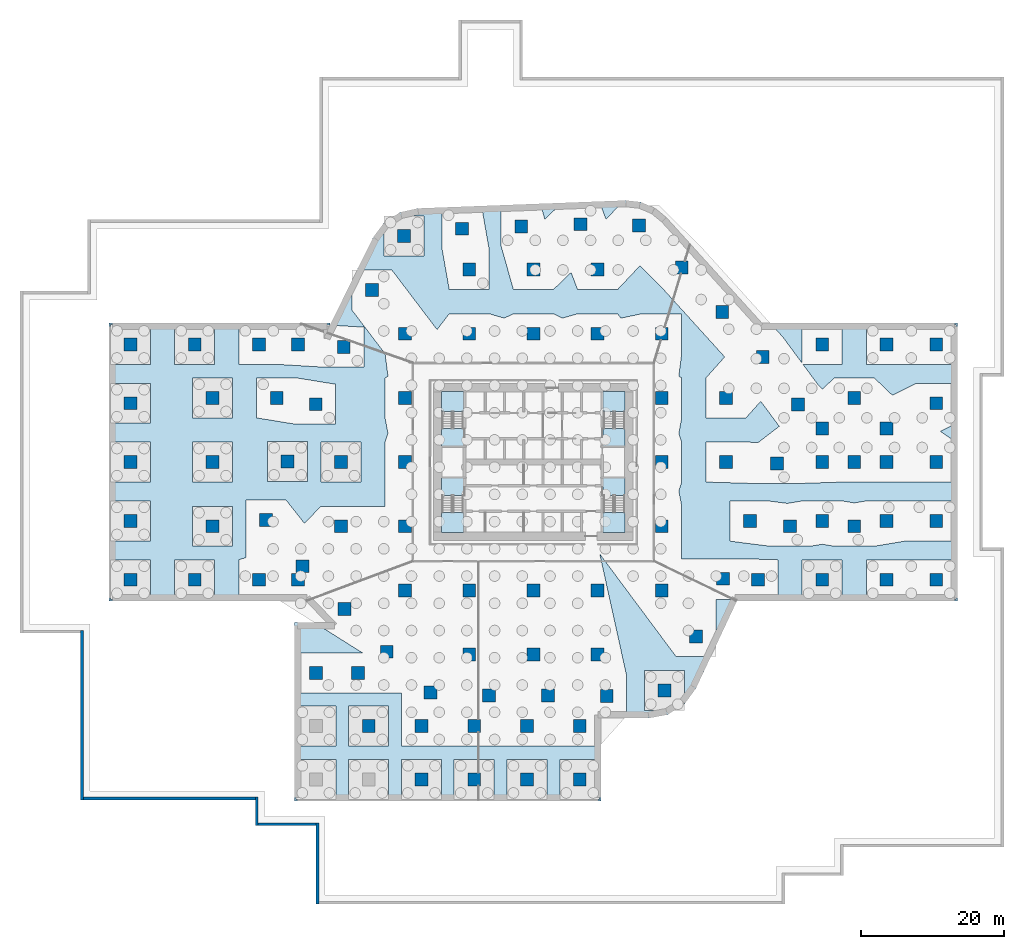
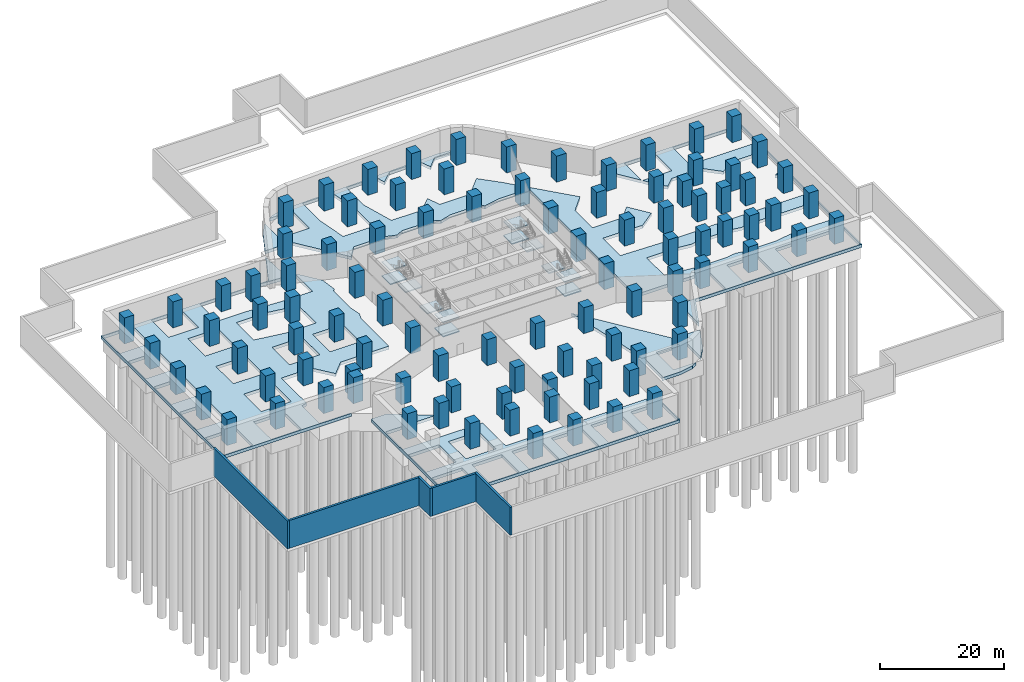
# One storey, part 3 of 12: 98 columns, 16 slabs, 5 walls, 4 elements without a shape of their own.
"""IFC4 building model written with IfcOpenShell, lengths in metres."""

import ifcopenshell
import ifcopenshell.guid

model = None  # the IFC model being written
_history = None  # IfcOwnerHistory: only IFC2X3 demands one
_inside = {}  # id of a spatial element -> (the spatial element, [elements in it])
_under = {}  # id of a project, library or spatial element -> (it, [spatial elements below it])
_declared = {}  # id of a project -> (the project, [libraries it declares])
_typed = {}  # id of a type object -> (the type object, [elements of that type])
_made_of = {}  # id of a material, layer set ... -> (it, [elements and type objects made of it])


def new_model(schema):
    """Start an empty IFC model of exactly this schema.

    Asked for "IFC4X3", IfcOpenShell would pick the latest addendum, in which some entities
    have other attributes; the version numbers below select the first issue.
    IFC2X3 requires an IfcOwnerHistory on every rooted entity: one is made here for all.
    """
    global model, _history
    if schema == "IFC4X3":
        model = ifcopenshell.file(schema_version=(4, 3, 0, 0))
    else:
        model = ifcopenshell.file(schema=schema)
    _inside.clear()
    _under.clear()
    _declared.clear()
    _typed.clear()
    _made_of.clear()
    _history = None
    if model.schema == "IFC2X3":
        org = make("IfcOrganization", Name="unknown")
        user = make(
            "IfcPersonAndOrganization",
            ThePerson=make("IfcPerson", FamilyName="unknown"),
            TheOrganization=org,
        )
        app = make(
            "IfcApplication",
            ApplicationDeveloper=org,
            Version="unknown",
            ApplicationFullName="unknown",
            ApplicationIdentifier="unknown",
        )
        _history = make(
            "IfcOwnerHistory",
            OwningUser=user,
            OwningApplication=app,
            ChangeAction="ADDED",
            CreationDate=0,
        )
    return model


def make(cls, **values):
    """One entity of the class cls with the attributes given. An attribute that is None is left unset."""
    return model.create_entity(
        cls, **{name: value for name, value in values.items() if value is not None}
    )


def rooted(cls, **values):
    """An entity with a GlobalId (a new one), such as an element, a storey or a relation."""
    return make(cls, GlobalId=ifcopenshell.guid.new(), OwnerHistory=_history, **values)


def si_unit(unit_type, name, prefix=None):
    """IfcSIUnit, for example si_unit("LENGTHUNIT", "METRE", prefix="MILLI")."""
    return make("IfcSIUnit", UnitType=unit_type, Prefix=prefix, Name=name)


def assignment(units):
    """IfcUnitAssignment: the units of a project."""
    return None if units is None else make("IfcUnitAssignment", Units=units)


def point(xyz):
    """IfcCartesianPoint."""
    return None if xyz is None else make("IfcCartesianPoint", Coordinates=xyz)


def direction(xyz):
    """IfcDirection."""
    return None if xyz is None else make("IfcDirection", DirectionRatios=xyz)


def frame(location, z_axis=None, x_axis=None):
    """IfcAxis2Placement3D, a coordinate frame: its origin and axes. An axis left out is left unset."""
    return make(
        "IfcAxis2Placement3D",
        Location=point(location),
        Axis=direction(z_axis),
        RefDirection=direction(x_axis),
    )


def frame_2d(location, x_axis=None):
    """IfcAxis2Placement2D, a coordinate frame in the plane: its origin and x axis."""
    return make(
        "IfcAxis2Placement2D", Location=point(location), RefDirection=direction(x_axis)
    )


def origin():
    """The frame at (0, 0, 0) with its axes left unset."""
    return frame((0.0, 0.0, 0.0))


def origin_2d():
    """The frame at (0, 0) in the plane with its x axis left unset."""
    return frame_2d((0.0, 0.0))


def place(relative_to, where):
    """IfcLocalPlacement: puts the frame where relative to a parent placement (None: the world)."""
    return make(
        "IfcLocalPlacement", PlacementRelTo=relative_to, RelativePlacement=where
    )


def context(
    kind, dimensions, precision=None, world=None, true_north=None, identifier=None
):
    """IfcGeometricRepresentationContext, for example the 3D "Model" context."""
    return make(
        "IfcGeometricRepresentationContext",
        ContextIdentifier=identifier,
        ContextType=kind,
        CoordinateSpaceDimension=dimensions,
        Precision=precision,
        WorldCoordinateSystem=world,
        TrueNorth=true_north,
    )


def subcontext(parent, identifier, kind, view, scale=None):
    """IfcGeometricRepresentationSubContext, for example "Body" below "Model"."""
    return make(
        "IfcGeometricRepresentationSubContext",
        ContextIdentifier=identifier,
        ContextType=kind,
        ParentContext=parent,
        TargetScale=scale,
        TargetView=view,
    )


def project(units=None, contexts=None):
    """IfcProject with its units and contexts."""
    return rooted(
        "IfcProject",
        Name="project",
        RepresentationContexts=contexts,
        UnitsInContext=assignment(units),
    )


def spatial(cls, under=None, at=None, **own):
    """A site, building, storey or space (cls), placed at a placement, below another one or the project."""
    s = rooted(cls, ObjectPlacement=at, **own)
    if under is not None:
        _under.setdefault(under.id(), (under, []))[1].append(s)
    return s


def polyline(points):
    """IfcPolyline through the points."""
    return make("IfcPolyline", Points=[point(p) for p in points])


def profile(cls, at=None, kind="AREA", **sizes):
    """A parametric profile (cls). Its sizes go by their IFC names, for example OverallWidth=200.0."""
    return make(cls, ProfileType=kind, Position=at, **sizes)


def rectangle(**sizes):
    """IfcRectangleProfileDef."""
    return profile("IfcRectangleProfileDef", **sizes)


def outline(outer, holes=None, kind="AREA"):
    """IfcArbitraryClosedProfileDef: a profile drawn as a closed curve; with holes, ...WithVoids."""
    if holes is None:
        return make("IfcArbitraryClosedProfileDef", ProfileType=kind, OuterCurve=outer)
    return make(
        "IfcArbitraryProfileDefWithVoids",
        ProfileType=kind,
        OuterCurve=outer,
        InnerCurves=holes,
    )


def extrude(swept, where, along, depth):
    """IfcExtrudedAreaSolid: the profile swept, set in the frame where, extruded along a direction by depth."""
    return make(
        "IfcExtrudedAreaSolid",
        SweptArea=swept,
        Position=where,
        ExtrudedDirection=direction(along),
        Depth=depth,
    )


def shape(context_of_items, identifier, shape_type, items):
    """IfcShapeRepresentation: the items that make up one representation, for example the "Body"."""
    return make(
        "IfcShapeRepresentation",
        ContextOfItems=context_of_items,
        RepresentationIdentifier=identifier,
        RepresentationType=shape_type,
        Items=items,
    )


def material(Name=None, Category=None):
    """IfcMaterial."""
    return make("IfcMaterial", Name=Name, Category=Category)


def layer(
    of_material, thickness, ventilated=None, Name=None, Category=None, Priority=None
):
    """IfcMaterialLayer: one layer of a wall or slab, of a material (None: an air gap)."""
    return make(
        "IfcMaterialLayer",
        Material=of_material,
        LayerThickness=thickness,
        IsVentilated=ventilated,
        Name=Name,
        Category=Category,
        Priority=Priority,
    )


def layer_set(layers, Name=None):
    """IfcMaterialLayerSet."""
    return make("IfcMaterialLayerSet", MaterialLayers=layers, LayerSetName=Name)


def material_profile(
    of_material, cross_section, Name=None, Category=None, Priority=None
):
    """IfcMaterialProfile: a cross section and its material."""
    return make(
        "IfcMaterialProfile",
        Name=Name,
        Material=of_material,
        Profile=cross_section,
        Priority=Priority,
        Category=Category,
    )


def profile_set(profiles, Name=None, composite=None):
    """IfcMaterialProfileSet."""
    return make(
        "IfcMaterialProfileSet",
        Name=Name,
        MaterialProfiles=profiles,
        CompositeProfile=composite,
    )


def made_of(thing, what):
    """Note that an element or type object is made of a material, layer set ...; save() writes the relation."""
    if what is not None:
        _made_of.setdefault(what.id(), (what, []))[1].append(thing)
    return thing


def type_object(cls, material=None, **own):
    """A type object (cls), such as IfcWallType, which elements share."""
    return made_of(rooted(cls, **own), material)


def element(
    cls,
    number,
    at=None,
    inside=None,
    cuts=None,
    type_object=None,
    material=None,
    context=None,
    identifier="Body",
    shape_type=None,
    held_by="IfcProductDefinitionShape",
    body=None,
    shapes=None,
    **own,
):
    """One element of the class cls, such as IfcWall. Its Tag is "e" and its number.

    at: its placement. inside: the storey or other place that contains it. cuts: it is an
    opening in that element (IfcRelVoidsElement). A single representation is given by context,
    identifier, shape_type and body (its items); several are given by shapes. held_by: the class
    of the entity that holds the representations. save() writes the other relations.
    """
    e = rooted(cls, Tag="e%d" % number, ObjectPlacement=at, **own)
    if body is not None:
        shapes = [shape(context, identifier, shape_type, body)]
    if shapes is not None:
        e.Representation = make(held_by, Representations=shapes)
    if inside is not None:
        _inside.setdefault(inside.id(), (inside, []))[1].append(e)
    if cuts is not None:
        rooted(
            "IfcRelVoidsElement", RelatingBuildingElement=cuts, RelatedOpeningElement=e
        )
    if type_object is not None:
        _typed.setdefault(type_object.id(), (type_object, []))[1].append(e)
    return made_of(e, material)


def aggregate(whole, parts):
    """IfcRelAggregates: a whole, such as a stair, and the parts it consists of."""
    return rooted("IfcRelAggregates", RelatingObject=whole, RelatedObjects=parts)


def save(model, path):
    """Write the relations noted so far, then the file.

    IfcRelAggregates (storeys below a building ...), IfcRelContainedInSpatialStructure (elements
    in a storey), IfcRelDefinesByType, IfcRelAssociatesMaterial and IfcRelDeclares: one each for
    every whole, place, type object, material and project.
    """
    for whole, parts in _under.values():
        aggregate(whole, parts)
    for where, things in _inside.values():
        rooted(
            "IfcRelContainedInSpatialStructure",
            RelatedElements=things,
            RelatingStructure=where,
        )
    for kind, things in _typed.values():
        rooted("IfcRelDefinesByType", RelatedObjects=things, RelatingType=kind)
    for what, things in _made_of.values():
        rooted("IfcRelAssociatesMaterial", RelatedObjects=things, RelatingMaterial=what)
    for by, libraries in _declared.values():
        rooted("IfcRelDeclares", RelatingContext=by, RelatedDefinitions=libraries)
    model.write(path)


model = new_model("IFC4")

# Units and contexts
model_context = context("Model", 3, precision=1e-05, world=origin(), true_north=direction((0.0, 1.0)))
body_context = subcontext(model_context, "Body", "Model", "MODEL_VIEW")
ifc_project = project(units=[si_unit("LENGTHUNIT", "METRE"), si_unit("AREAUNIT", "SQUARE_METRE"), si_unit("VOLUMEUNIT", "CUBIC_METRE"), si_unit("PLANEANGLEUNIT", "RADIAN"), si_unit("MASSUNIT", "GRAM", prefix="KILO")], contexts=[model_context])

# Site, building, storey
site_placement = place(None, origin())
site = spatial("IfcSite", under=ifc_project, at=site_placement, CompositionType="ELEMENT")
building_placement = place(site_placement, origin())
building = spatial("IfcBuilding", under=site, at=building_placement, Name="Dongbaek Canopy Tower", CompositionType="ELEMENT")
storey_placement = place(building_placement, frame((0.0, 0.0, -17.0)))
storey = spatial("IfcBuildingStorey", under=building, at=storey_placement, Name="B3", CompositionType="ELEMENT", Elevation=-17.0)

# Columns
ifc_material_1 = material(Name="Concrete C80", Category="concrete")
ifc_material_profile = material_profile(ifc_material_1, rectangle(XDim=1.800048828125, YDim=1.800048828125, at=origin_2d()), Name="RC COLUMN 1800x1800 C80")
ifc_profile_set = profile_set([ifc_material_profile], Name="Concrete C80")
column_type = type_object("IfcColumnType", Name="RC COLUMN 1800x1800 C80", PredefinedType="COLUMN", material=ifc_profile_set)
for number, where, z_axis, x_axis, name in (
    (1, (18.367919921875, -32.04296875, 0.0), (0.0, 0.0, 1.0), (1.0, 0.0, 0.0), "COL:CB-01:B3"),
    (2, (10.277099609375, -32.7900390625, 0.0), (0.0, 0.0, 1.0), (1.0, 0.0, 0.0), "COL:CB-02:B3"),
    (3, (2.027099609375, -32.7529296875, 0.0), (0.0, 0.0, 1.0), (1.0, 0.0, 0.0), "COL:CB-03:B3"),
    (4, (-6.221923828125, -32.717041015625, 0.0), (0.0, 0.0, 1.0), (1.0, 0.0, 0.0), "COL:CB-04:B3"),
    (5, (-14.43408203125, -32.31298828125, 0.0), (0.0, 0.0, 1.0), (1.0, 0.0, 0.0), "COL:CB-05:B3"),
    (6, (-20.573974609375, -26.60205078125, 0.0), (0.0, 0.0, 1.0), (1.0, 0.0, 0.0), "COL:CB-06:B3"),
    (7, (-26.47802734375, -20.60791015625, 0.0), (0.0, 0.0, 1.0), (1.0, 0.0, 0.0), "COL:CB-07:B3"),
    (8, (-32.382080078125, -14.613037109375, 0.0), (0.0, 0.0, 1.0), (1.0, 0.0, 0.0), "COL:CB-08:B3"),
    (9, (-37.489013671875, -8.123046875, 0.0), (0.0, 0.0, 1.0), (1.0, 0.0, 0.0), "COL:CB-09:B3"),
    (10, (-34.462890625, 0.10302734375, 0.0), (0.0, 0.0, 1.0), (1.0, 0.0, 0.0), "COL:CB-10:B3"),
    (11, (-30.52490234375, 8.111083984375, 0.0), (0.0, 0.0, 1.0), (1.0, 0.0, 0.0), "COL:CB-11:B3"),
    (12, (-26.5859375, 16.117919921875, 0.0), (0.0, 0.0, 1.0), (1.0, 0.0, 0.0), "COL:CB-12:B3"),
    (13, (-22.64794921875, 24.125, 0.0), (0.0, 0.0, 1.0), (1.0, 0.0, 0.0), "COL:CB-13:B3"),
    (14, (-18.138916015625, 31.698974609375, 0.0), (0.0, 0.0, 1.0), (1.0, 0.0, 0.0), "COL:CB-14:B3"),
    (15, (-10.006103515625, 32.714111328125, 0.0), (0.0, 0.0, 1.0), (1.0, 0.0, 0.0), "COL:CB-15:B3"),
    (16, (-1.7080078125, 33.031982421875, 0.0), (0.0, 0.0, 1.0), (1.0, 0.0, 0.0), "COL:CB-16:B3"),
    (17, (6.589111328125, 33.34912109375, 0.0), (0.0, 0.0, 1.0), (1.0, 0.0, 0.0), "COL:CB-17:B3"),
    (18, (14.830078125, 33.194091796875, 0.0), (0.0, 0.0, 1.0), (1.0, 0.0, 0.0), "COL:CB-18:B3"),
    (19, (20.804931640625, 27.297119140625, 0.0), (0.0, 0.0, 1.0), (1.0, 0.0, 0.0), "COL:CB-19:B3"),
    (20, (26.48193359375, 21.029052734375, 0.0), (0.0, 0.0, 1.0), (1.0, 0.0, 0.0), "COL:CB-20:B3"),
    (21, (32.157958984375, 14.760986328125, 0.0), (0.0, 0.0, 1.0), (1.0, 0.0, 0.0), "COL:CB-21:B3"),
    (22, (37.097900390625, 8.06591796875, 0.0), (0.0, 0.0, 1.0), (1.0, 0.0, 0.0), "COL:CB-22:B3"),
    (23, (34.14306640625, -0.205078125, 0.0), (0.0, 0.0, 1.0), (1.0, 0.0, 0.0), "COL:CB-23:B3"),
    (24, (30.360107421875, -8.283935546875, 0.0), (0.0, 0.0, 1.0), (1.0, 0.0, 0.0), "COL:CB-24:B3"),
    (25, (26.575927734375, -16.364013671875, 0.0), (0.0, 0.0, 1.0), (1.0, 0.0, 0.0), "COL:CB-25:B3"),
    (26, (22.7919921875, -24.443115234375, 0.0), (0.0, 0.0, 1.0), (1.0, 0.0, 0.0), "COL:CB-26:B3"),
    (27, (-27.0, -9.0, 0.0), (0.0, 0.0, 1.0), (1.0, 0.0, 0.0), "COL:CIB-01:B3"),
    (28, (-27.0, 0.0, 0.0), (0.0, 0.0, 1.0), (1.0, 0.0, 0.0), "COL:CIB-02:B3"),
    (29, (-18.0, -18.0, 0.0), (0.0, 0.0, 1.0), (1.0, 0.0, 0.0), "COL:CIB-03:B3"),
    (30, (-18.0, -9.0, 0.0), (0.0, 0.0, 1.0), (1.0, 0.0, 0.0), "COL:CIB-04:B3"),
    (31, (-18.0, 0.0, 0.0), (0.0, 0.0, 1.0), (1.0, 0.0, 0.0), "COL:CIB-05:B3"),
    (32, (-18.0, 9.0, 0.0), (0.0, 0.0, 1.0), (1.0, 0.0, 0.0), "COL:CIB-06:B3"),
    (33, (-18.0, 18.0, 0.0), (0.0, 0.0, 1.0), (1.0, 0.0, 0.0), "COL:CIB-07:B3"),
    (34, (-9.0, -27.0, 0.0), (0.0, 0.0, 1.0), (1.0, 0.0, 0.0), "COL:CIB-08:B3"),
    (35, (-9.0, -18.0, 0.0), (0.0, 0.0, 1.0), (1.0, 0.0, 0.0), "COL:CIB-09:B3"),
    (36, (-9.0, 18.0, 0.0), (0.0, 0.0, 1.0), (1.0, 0.0, 0.0), "COL:CIB-10:B3"),
    (37, (-9.0, 27.0, 0.0), (0.0, 0.0, 1.0), (1.0, 0.0, 0.0), "COL:CIB-11:B3"),
    (38, (0.0, -27.0, 0.0), (0.0, 0.0, 1.0), (1.0, 0.0, 0.0), "COL:CIB-12:B3"),
    (39, (0.0, -18.0, 0.0), (0.0, 0.0, 1.0), (1.0, 0.0, 0.0), "COL:CIB-13:B3"),
    (40, (0.0, 18.0, 0.0), (0.0, 0.0, 1.0), (1.0, 0.0, 0.0), "COL:CIB-14:B3"),
    (41, (0.0, 27.0, 0.0), (0.0, 0.0, 1.0), (1.0, 0.0, 0.0), "COL:CIB-15:B3"),
    (42, (9.0, -27.0, 0.0), (0.0, 0.0, 1.0), (1.0, 0.0, 0.0), "COL:CIB-16:B3"),
    (43, (9.0, -18.0, 0.0), (0.0, 0.0, 1.0), (1.0, 0.0, 0.0), "COL:CIB-17:B3"),
    (44, (9.0, 18.0, 0.0), (0.0, 0.0, 1.0), (1.0, 0.0, 0.0), "COL:CIB-18:B3"),
    (45, (9.0, 27.0, 0.0), (0.0, 0.0, 1.0), (1.0, 0.0, 0.0), "COL:CIB-19:B3"),
    (46, (18.0, -18.0, 0.0), (0.0, 0.0, 1.0), (1.0, 0.0, 0.0), "COL:CIB-20:B3"),
    (47, (18.0, -9.0, 0.0), (0.0, 0.0, 1.0), (1.0, 0.0, 0.0), "COL:CIB-21:B3"),
    (48, (18.0, 0.0, 0.0), (0.0, 0.0, 1.0), (1.0, 0.0, 0.0), "COL:CIB-22:B3"),
    (49, (18.0, 9.0, 0.0), (0.0, 0.0, 1.0), (1.0, 0.0, 0.0), "COL:CIB-23:B3"),
    (50, (18.0, 18.0, 0.0), (0.0, 0.0, 1.0), (1.0, 0.0, 0.0), "COL:CIB-24:B3"),
    (51, (27.0, 0.0, 0.0), (0.0, 0.0, 1.0), (1.0, 0.0, 0.0), "COL:CIB-25:B3"),
    (52, (27.0, 9.0, 0.0), (0.0, 0.0, 1.0), (1.0, 0.0, 0.0), "COL:CIB-26:B3"),
    (53, (-56.5, -16.5, 0.0), (0.0, 0.0, 1.0), (1.0, 0.0, 0.0), "COL:CX-01:B3"),
    (54, (-56.5, -8.25, 0.0), (0.0, 0.0, 1.0), (1.0, 0.0, 0.0), "COL:CX-02:B3"),
    (55, (-56.5, 0.0, 0.0), (0.0, 0.0, 1.0), (1.0, 0.0, 0.0), "COL:CX-03:B3"),
    (56, (-56.5, 8.25, 0.0), (0.0, 0.0, 1.0), (1.0, 0.0, 0.0), "COL:CX-04:B3"),
    (57, (-56.5, 16.5, 0.0), (0.0, 0.0, 1.0), (1.0, 0.0, 0.0), "COL:CX-05:B3"),
    (58, (-47.5, -16.5, 0.0), (0.0, 0.0, 1.0), (1.0, 0.0, 0.0), "COL:CX-06:B3"),
    (59, (-47.5, 16.5, 0.0), (0.0, 0.0, 1.0), (1.0, 0.0, 0.0), "COL:CX-07:B3"),
    (60, (-45.0, -9.0, 0.0), (0.0, 0.0, 1.0), (1.0, 0.0, 0.0), "COL:CX-08:B3"),
    (61, (-45.0, 0.0, 0.0), (0.0, 0.0, 1.0), (1.0, 0.0, 0.0), "COL:CX-09:B3"),
    (62, (-45.0, 9.0, 0.0), (0.0, 0.0, 1.0), (1.0, 0.0, 0.0), "COL:CX-10:B3"),
    (63, (-38.5, -16.5, 0.0), (0.0, 0.0, 1.0), (1.0, 0.0, 0.0), "COL:CX-11:B3"),
    (64, (-38.5, 16.5, 0.0), (0.0, 0.0, 1.0), (1.0, 0.0, 0.0), "COL:CX-12:B3"),
    (65, (-36.0, 9.0, 0.0), (0.0, 0.0, 1.0), (1.0, 0.0, 0.0), "COL:CX-13:B3"),
    (66, (-33.0, -16.5, 0.0), (0.0, 0.0, 1.0), (1.0, 0.0, 0.0), "COL:CX-14:B3"),
    (67, (-33.0, 16.5, 0.0), (0.0, 0.0, 1.0), (1.0, 0.0, 0.0), "COL:CX-15:B3"),
    (68, (-30.5, -29.60009765625, 0.0), (0.0, 0.0, 1.0), (1.0, 0.0, 0.0), "COL:CX-18:B3"),
    (69, (-24.60009765625, -29.60009765625, 0.0), (0.0, 0.0, 1.0), (1.0, 0.0, 0.0), "COL:CX-19:B3"),
    (70, (-23.10009765625, -37.0, 0.0), (0.0, 0.0, 1.0), (1.0, 0.0, 0.0), "COL:CX-21:B3"),
    (71, (-15.699951171875, -44.5, 0.0), (0.0, 0.0, 1.0), (1.0, 0.0, 0.0), "COL:CX-22:B3"),
    (72, (-15.699951171875, -37.0, 0.0), (0.0, 0.0, 1.0), (1.0, 0.0, 0.0), "COL:CX-23:B3"),
    (73, (-8.300048828125, -44.5, 0.0), (0.0, 0.0, 1.0), (1.0, 0.0, 0.0), "COL:CX-24:B3"),
    (74, (-8.300048828125, -37.0, 0.0), (0.0, 0.0, 1.0), (1.0, 0.0, 0.0), "COL:CX-25:B3"),
    (75, (-0.89990234375, -44.5, 0.0), (0.0, 0.0, 1.0), (1.0, 0.0, 0.0), "COL:CX-26:B3"),
    (76, (-0.89990234375, -37.0, 0.0), (0.0, 0.0, 1.0), (1.0, 0.0, 0.0), "COL:CX-27:B3"),
    (77, (6.5, -44.5, 0.0), (0.0, 0.0, 1.0), (1.0, 0.0, 0.0), "COL:CX-28:B3"),
    (78, (6.5, -37.0, 0.0), (0.0, 0.0, 1.0), (1.0, 0.0, 0.0), "COL:CX-29:B3"),
    (79, (31.5, -16.5, 0.0), (0.0, 0.0, 1.0), (1.0, 0.0, 0.0), "COL:CX-30:B3"),
    (80, (36.0, -9.0, 0.0), (0.0, 0.0, 1.0), (1.0, 0.0, 0.0), "COL:CX-31:B3"),
    (81, (40.5, -16.5, 0.0), (0.0, 0.0, 1.0), (1.0, 0.0, 0.0), "COL:CX-32:B3"),
    (82, (40.5, -8.25, 0.0), (0.0, 0.0, 1.0), (1.0, 0.0, 0.0), "COL:CX-33:B3"),
    (83, (40.5, 0.0, 0.0), (0.0, 0.0, 1.0), (1.0, 0.0, 0.0), "COL:CX-34:B3"),
    (84, (40.5, 4.699951171875, 0.0), (0.0, 0.0, 1.0), (1.0, 0.0, 0.0), "COL:CX-35:B3"),
    (85, (40.5, 16.5, 0.0), (0.0, 0.0, 1.0), (1.0, 0.0, 0.0), "COL:CX-36:B3"),
    (86, (45.0, -9.0, 0.0), (0.0, 0.0, 1.0), (1.0, 0.0, 0.0), "COL:CX-37:B3"),
    (87, (45.0, 0.0, 0.0), (0.0, 0.0, 1.0), (1.0, 0.0, 0.0), "COL:CX-38:B3"),
    (88, (45.0, 9.0, 0.0), (0.0, 0.0, 1.0), (1.0, 0.0, 0.0), "COL:CX-39:B3"),
    (89, (49.5, -16.5, 0.0), (0.0, 0.0, 1.0), (1.0, 0.0, 0.0), "COL:CX-40:B3"),
    (90, (49.5, -8.25, 0.0), (0.0, 0.0, 1.0), (1.0, 0.0, 0.0), "COL:CX-41:B3"),
    (91, (49.5, 0.0, 0.0), (0.0, 0.0, 1.0), (1.0, 0.0, 0.0), "COL:CX-42:B3"),
    (92, (49.5, 4.699951171875, 0.0), (0.0, 0.0, 1.0), (1.0, 0.0, 0.0), "COL:CX-43:B3"),
    (93, (49.5, 16.5, 0.0), (0.0, 0.0, 1.0), (1.0, 0.0, 0.0), "COL:CX-44:B3"),
    (94, (56.5, -16.5, 0.0), (0.0, 0.0, 1.0), (1.0, 0.0, 0.0), "COL:CX-45:B3"),
    (95, (56.5, -8.25, 0.0), (0.0, 0.0, 1.0), (1.0, 0.0, 0.0), "COL:CX-46:B3"),
    (96, (56.5, 0.0, 0.0), (0.0, 0.0, 1.0), (1.0, 0.0, 0.0), "COL:CX-47:B3"),
    (97, (56.5, 8.25, 0.0), (0.0, 0.0, 1.0), (1.0, 0.0, 0.0), "COL:CX-48:B3"),
    (98, (56.5, 16.5, 0.0), (0.0, 0.0, 1.0), (1.0, 0.0, 0.0), "COL:CX-49:B3"),
):
    element("IfcColumn", number, at=place(storey_placement, frame(where, z_axis=z_axis, x_axis=x_axis)), inside=storey, type_object=column_type, Name=name, PredefinedType="COLUMN", context=body_context, shape_type="SweptSolid", body=[
        extrude(rectangle(XDim=1.800048828125, YDim=1.800048828125, at=origin_2d()), origin(), (0.0, 0.0, 1.0), 5.10009765625),
    ])

# Slabs
ifc_material_2 = material(Name="Concrete C40", Category="concrete")
ifc_layer_1 = layer(ifc_material_2, 0.60009765625)
ifc_layer_set_1 = layer_set([ifc_layer_1], Name="BASE SLAB 600 Concrete C40")
slab_type_1 = type_object("IfcSlabType", Name="BASE SLAB 600 Concrete C40", PredefinedType="BASESLAB", material=ifc_layer_set_1)
slab_1_placement = place(storey_placement, frame((0.0, 0.0, -0.60009765625)))
element("IfcSlab", 99, at=slab_1_placement, inside=storey, type_object=slab_type_1, Name="SLAB:B3.0", PredefinedType="BASESLAB", context=body_context, shape_type="SweptSolid", body=[
    extrude(outline(polyline([(9.5, -47.5), (-33.5, -47.5), (-33.5, -22.5), (-30.719482421875, -22.5), (-23.892578125, -26.800048828125), (-33.300048828125, -26.800048828125), (-33.300048828125, -32.39990234375), (-18.5, -32.39990234375), (-18.5, -39.800048828125), (9.300048828125, -39.800048828125), (9.5, -39.5771484375), (9.5, -47.5)]), holes=[polyline([(-27.699951171875, -41.699951171875), (-33.300048828125, -41.699951171875), (-33.300048828125, -47.300048828125), (-27.699951171875, -47.300048828125), (-27.699951171875, -41.699951171875)]), polyline([(-27.699951171875, -39.800048828125), (-27.699951171875, -34.199951171875), (-33.300048828125, -34.199951171875), (-33.300048828125, -39.800048828125), (-27.699951171875, -39.800048828125)]), polyline([(-20.300048828125, -47.300048828125), (-20.300048828125, -41.699951171875), (-25.89990234375, -41.699951171875), (-25.89990234375, -47.300048828125), (-20.300048828125, -47.300048828125)]), polyline([(-12.89990234375, -47.300048828125), (-12.89990234375, -41.699951171875), (-18.5, -41.699951171875), (-18.5, -47.300048828125), (-12.89990234375, -47.300048828125)]), polyline([(-5.5, -47.300048828125), (-5.5, -41.699951171875), (-11.10009765625, -41.699951171875), (-11.10009765625, -47.300048828125), (-5.5, -47.300048828125)]), polyline([(1.89990234375, -47.300048828125), (1.89990234375, -41.699951171875), (-3.699951171875, -41.699951171875), (-3.699951171875, -47.300048828125), (1.89990234375, -47.300048828125)]), polyline([(9.300048828125, -47.300048828125), (9.300048828125, -41.699951171875), (3.699951171875, -41.699951171875), (3.699951171875, -47.300048828125), (9.300048828125, -47.300048828125)]), polyline([(-20.300048828125, -39.800048828125), (-20.300048828125, -34.199951171875), (-25.89990234375, -34.199951171875), (-25.89990234375, -39.800048828125), (-20.300048828125, -39.800048828125)])]), origin(), (0.0, 0.0, 1.0), 0.60009765625),
])
slab_2_placement = place(storey_placement, frame((0.0, 0.0, -0.60009765625)))
element("IfcSlab", 100, at=slab_2_placement, inside=storey, type_object=slab_type_1, Name="SLAB:B3.1", PredefinedType="BASESLAB", context=body_context, shape_type="SweptSolid", body=[
    extrude(outline(polyline([(18.826904296875, -35.42138671875), (16.181640625, -35.916748046875), (12.797607421875, -35.901611328125), (13.076904296875, -35.590087890625), (13.076904296875, -29.989990234375), (9.30078125, -12.868408203125), (19.991943359375, -27.242919921875), (24.90380859375, -27.242919921875), (22.80419921875, -31.726318359375), (21.223876953125, -33.90478515625), (21.16796875, -33.940185546875), (21.16796875, -29.242919921875), (15.568115234375, -29.242919921875), (15.568115234375, -34.843017578125), (19.7412109375, -34.843017578125), (18.826904296875, -35.42138671875)])), origin(), (0.0, 0.0, 1.0), 0.60009765625),
])
slab_3_placement = place(storey_placement, frame((0.0, 0.0, -0.60009765625)))
element("IfcSlab", 101, at=slab_3_placement, inside=storey, type_object=slab_type_1, Name="SLAB:B3.2", PredefinedType="BASESLAB", context=body_context, shape_type="SweptSolid", body=[
    extrude(outline(polyline([(59.5, 19.5), (59.5, -19.5), (28.530029296875, -19.5), (25.592041015625, -25.7734375), (25.592041015625, -19.300048828125), (34.300048828125, -19.300048828125), (34.300048828125, -13.699951171875), (29.3759765625, -13.56396484375), (20.800048828125, -13.56396484375), (20.800048828125, -6.199951171875), (20.388427734375, -4.0126953125), (20.800048828125, -2.800048828125), (20.800048828125, 2.800048828125), (20.388427734375, 4.0126953125), (20.800048828125, 6.199951171875), (20.800048828125, 11.800048828125), (20.388427734375, 12.0380859375), (20.800048828125, 15.199951171875), (20.800048828125, 20.800048828125), (15.199951171875, 20.800048828125), (12.272705078125, 20.181884765625), (11.800048828125, 20.800048828125), (6.199951171875, 20.800048828125), (4.0908203125, 20.181884765625), (2.800048828125, 20.800048828125), (-2.800048828125, 20.800048828125), (-4.0908203125, 20.181884765625), (-6.199951171875, 20.800048828125), (-11.800048828125, 20.800048828125), (-13.506591796875, 18.568359375), (-19.847900390625, 26.925048828125), (-24.725830078125, 26.925048828125), (-22.4658203125, 31.5205078125), (-20.95263671875, 33.568115234375), (-20.93896484375, 33.576904296875), (-20.93896484375, 28.89892578125), (-15.339111328125, 28.89892578125), (-15.339111328125, 34.4990234375), (-19.519287109375, 34.4990234375), (-18.70263671875, 35.029296875), (-16.216552734375, 35.57861328125), (12.970703125, 36.6953125), (15.028076171875, 36.473876953125), (16.16845703125, 35.993896484375), (12.030029296875, 35.993896484375), (10.190185546875, 34.039306640625), (9.388916015625, 36.14892578125), (3.7890625, 36.14892578125), (1.599609375, 34.039306640625), (1.092041015625, 35.83203125), (-4.508056640625, 35.83203125), (-4.508056640625, 30.23193359375), (-2.800048828125, 24.199951171875), (2.800048828125, 24.199951171875), (5.289306640625, 26.598388671875), (6.199951171875, 24.199951171875), (11.800048828125, 24.199951171875), (14.93310546875, 27.52880859375), (18.0048828125, 24.4970703125), (23.681884765625, 18.22900390625), (26.8369140625, 14.7451171875), (24.199951171875, 11.800048828125), (24.199951171875, 6.199951171875), (29.800048828125, 6.199951171875), (31.887939453125, 8.531982421875), (34.298095703125, 5.26611328125), (34.52001953125, 5.04638671875), (31.543701171875, 2.75), (29.800048828125, 2.800048828125), (24.199951171875, 2.800048828125), (24.199951171875, -2.800048828125), (31.343017578125, -3.0048828125), (36.943115234375, -3.0048828125), (43.300048828125, -2.800048828125), (46.699951171875, -2.800048828125), (47.800048828125, -2.800048828125), (52.300048828125, -2.800048828125), (53.699951171875, -2.800048828125), (59.300048828125, -2.800048828125), (59.300048828125, 2.800048828125), (57.051513671875, 4.309814453125), (59.300048828125, 5.449951171875), (59.300048828125, 11.050048828125), (53.699951171875, 11.050048828125), (50.3583984375, 9.355224609375), (47.800048828125, 11.800048828125), (42.199951171875, 11.800048828125), (40.548583984375, 10.22216796875), (39.89794921875, 10.865966796875), (37.806884765625, 13.699951171875), (43.300048828125, 13.699951171875), (43.300048828125, 19.300048828125), (37.699951171875, 19.300048828125), (37.699951171875, 13.844970703125), (34.9580078125, 17.56103515625), (33.2021484375, 19.5), (59.5, 19.5)]), holes=[polyline([(43.300048828125, -19.300048828125), (43.300048828125, -13.699951171875), (37.699951171875, -13.699951171875), (37.699951171875, -19.300048828125), (43.300048828125, -19.300048828125)]), polyline([(53.699951171875, -19.300048828125), (59.300048828125, -19.300048828125), (59.300048828125, -13.699951171875), (53.699951171875, -13.699951171875), (52.300048828125, -13.699951171875), (46.699951171875, -13.699951171875), (46.699951171875, -19.300048828125), (52.300048828125, -19.300048828125), (53.699951171875, -19.300048828125)]), polyline([(37.699951171875, -5.449951171875), (35.621337890625, -5.79638671875), (33.159912109375, -5.48388671875), (27.56005859375, -5.48388671875), (27.56005859375, -11.083984375), (33.199951171875, -11.800048828125), (38.800048828125, -11.800048828125), (40.5, -11.5166015625), (42.199951171875, -11.800048828125), (47.800048828125, -11.800048828125), (52.300048828125, -11.050048828125), (53.699951171875, -11.050048828125), (59.300048828125, -11.050048828125), (59.300048828125, -5.449951171875), (53.699951171875, -5.449951171875), (52.300048828125, -5.449951171875), (46.699951171875, -5.449951171875), (45.0, -5.7333984375), (43.300048828125, -5.449951171875), (37.699951171875, -5.449951171875)]), polyline([(53.699951171875, 13.699951171875), (59.300048828125, 13.699951171875), (59.300048828125, 19.300048828125), (53.699951171875, 19.300048828125), (52.300048828125, 19.300048828125), (46.699951171875, 19.300048828125), (46.699951171875, 13.699951171875), (52.300048828125, 13.699951171875), (53.699951171875, 13.699951171875)]), polyline([(-7.2060546875, 35.513916015625), (-12.805908203125, 35.513916015625), (-12.805908203125, 29.9140625), (-11.800048828125, 24.199951171875), (-6.199951171875, 24.199951171875), (-6.199951171875, 29.800048828125), (-7.2060546875, 35.513916015625)])]), origin(), (0.0, 0.0, 1.0), 0.60009765625),
])
slab_4_placement = place(storey_placement, frame((0.0, 0.0, -0.60009765625)))
element("IfcSlab", 102, at=slab_4_placement, inside=storey, type_object=slab_type_1, Name="SLAB:B3.3", PredefinedType="BASESLAB", context=body_context, shape_type="SweptSolid", body=[
    extrude(outline(polyline([(-59.5, -19.5), (-59.5, 19.5), (-28.5, 19.5), (-28.5, 19.25146484375), (-25.447998046875, 25.456787109375), (-25.447998046875, 21.324951171875), (-20.800048828125, 15.199951171875), (-20.388427734375, 12.0380859375), (-20.800048828125, 11.800048828125), (-20.800048828125, 6.199951171875), (-20.388427734375, 4.0126953125), (-20.800048828125, 2.800048828125), (-20.800048828125, -6.199951171875), (-29.800048828125, -6.199951171875), (-32.106201171875, -8.605224609375), (-34.68896484375, -5.322998046875), (-40.2890625, -5.322998046875), (-40.2890625, -13.38818359375), (-41.300048828125, -13.699951171875), (-41.300048828125, -19.300048828125), (-35.800048828125, -19.300048828125), (-35.482421875, -19.5), (-59.5, -19.5)]), holes=[polyline([(-53.699951171875, -19.300048828125), (-53.699951171875, -13.699951171875), (-59.300048828125, -13.699951171875), (-59.300048828125, -19.300048828125), (-53.699951171875, -19.300048828125)]), polyline([(-44.699951171875, -19.300048828125), (-44.699951171875, -13.699951171875), (-50.300048828125, -13.699951171875), (-50.300048828125, -19.300048828125), (-44.699951171875, -19.300048828125)]), polyline([(-42.199951171875, -11.800048828125), (-42.199951171875, -6.199951171875), (-47.800048828125, -6.199951171875), (-47.800048828125, -11.800048828125), (-42.199951171875, -11.800048828125)]), polyline([(-53.699951171875, -11.050048828125), (-53.699951171875, -5.449951171875), (-59.300048828125, -5.449951171875), (-59.300048828125, -11.050048828125), (-53.699951171875, -11.050048828125)]), polyline([(-53.699951171875, -2.800048828125), (-53.699951171875, 2.800048828125), (-59.300048828125, 2.800048828125), (-59.300048828125, -2.800048828125), (-53.699951171875, -2.800048828125)]), polyline([(-42.199951171875, -2.800048828125), (-42.199951171875, 2.800048828125), (-47.800048828125, 2.800048828125), (-47.800048828125, -2.800048828125), (-42.199951171875, -2.800048828125)]), polyline([(-24.199951171875, -2.800048828125), (-24.199951171875, 2.800048828125), (-29.800048828125, 2.800048828125), (-29.800048828125, -2.800048828125), (-24.199951171875, -2.800048828125)]), polyline([(-31.6630859375, -2.697021484375), (-31.6630859375, 2.903076171875), (-37.262939453125, 2.903076171875), (-37.262939453125, -2.697021484375), (-31.6630859375, -2.697021484375)]), polyline([(-53.699951171875, 5.449951171875), (-53.699951171875, 11.050048828125), (-59.300048828125, 11.050048828125), (-59.300048828125, 5.449951171875), (-53.699951171875, 5.449951171875)]), polyline([(-33.199951171875, 11.800048828125), (-38.800048828125, 11.800048828125), (-38.800048828125, 6.199951171875), (-33.324951171875, 5.31103515625), (-27.72509765625, 5.31103515625), (-27.72509765625, 10.910888671875), (-33.199951171875, 11.800048828125)]), polyline([(-42.199951171875, 6.199951171875), (-42.199951171875, 11.800048828125), (-47.800048828125, 11.800048828125), (-47.800048828125, 6.199951171875), (-42.199951171875, 6.199951171875)]), polyline([(-35.800048828125, 19.300048828125), (-41.300048828125, 19.300048828125), (-41.300048828125, 13.699951171875), (-35.800048828125, 13.699951171875), (-29.385986328125, 13.318115234375), (-23.785888671875, 13.318115234375), (-23.785888671875, 18.91796875), (-30.199951171875, 19.300048828125), (-35.699951171875, 19.300048828125), (-35.800048828125, 19.300048828125)]), polyline([(-53.699951171875, 13.699951171875), (-53.699951171875, 19.300048828125), (-59.300048828125, 19.300048828125), (-59.300048828125, 13.699951171875), (-53.699951171875, 13.699951171875)]), polyline([(-44.699951171875, 13.699951171875), (-44.699951171875, 19.300048828125), (-50.300048828125, 19.300048828125), (-50.300048828125, 13.699951171875), (-44.699951171875, 13.699951171875)])]), origin(), (0.0, 0.0, 1.0), 0.60009765625),
])

# Stair, slabs
ifc_material_3 = material(Name="Concrete C40/50", Category="concrete")
stair_type = type_object("IfcStairType", Name="Core exit stair", PredefinedType="HALF_TURN_STAIR", material=ifc_material_3)
stair_1_placement = place(storey_placement, origin())
stair_1 = element("IfcStair", 103, at=stair_1_placement, inside=storey, type_object=stair_type, Name="B3 exit stair A", PredefinedType="HALF_TURN_STAIR")
ifc_material_4 = material(Name="Concrete C40/50", Category="concrete")
ifc_layer_2 = layer(ifc_material_4, 0.199951171875)
ifc_layer_set_2 = layer_set([ifc_layer_2], Name="Core stair landing 200")
slab_type_2 = type_object("IfcSlabType", Name="Core stair landing 200", PredefinedType="LANDING", material=ifc_layer_set_2)
slab_5_placement = place(storey_placement, frame((0.0, 0.0, 1.175048828125)))
slab_5 = element("IfcSlab", 104, at=slab_5_placement, type_object=slab_type_2, Name="ST-A landing 1", PredefinedType="LANDING", context=body_context, shape_type="SweptSolid", body=[
    extrude(outline(polyline([(12.875, 7.080078125), (12.875, 9.875), (9.77490234375, 9.875), (9.77490234375, 7.080078125), (12.875, 7.080078125)])), origin(), (0.0, 0.0, 1.0), 0.199951171875),
])
slab_6_placement = place(storey_placement, frame((0.0, 0.0, 2.550048828125)))
slab_6 = element("IfcSlab", 105, at=slab_6_placement, type_object=slab_type_2, Name="ST-A landing 2", PredefinedType="LANDING", context=body_context, shape_type="SweptSolid", body=[
    extrude(outline(polyline([(12.875, 2.22509765625), (12.875, 4.699951171875), (9.77490234375, 4.699951171875), (9.77490234375, 2.22509765625), (12.875, 2.22509765625)])), origin(), (0.0, 0.0, 1.0), 0.199951171875),
])
slab_7_placement = place(storey_placement, frame((0.0, 0.0, 3.925048828125)))
slab_7 = element("IfcSlab", 106, at=slab_7_placement, type_object=slab_type_2, Name="ST-A landing 3", PredefinedType="LANDING", context=body_context, shape_type="SweptSolid", body=[
    extrude(outline(polyline([(12.875, 7.080078125), (12.875, 9.875), (9.77490234375, 9.875), (9.77490234375, 7.080078125), (12.875, 7.080078125)])), origin(), (0.0, 0.0, 1.0), 0.199951171875),
])
aggregate(stair_1, [slab_5, slab_6, slab_7])

stair_2_placement = place(storey_placement, origin())
stair_2 = element("IfcStair", 107, at=stair_2_placement, inside=storey, type_object=stair_type, Name="B3 exit stair C", PredefinedType="HALF_TURN_STAIR")
slab_8_placement = place(storey_placement, frame((0.0, 0.0, 1.175048828125)))
slab_8 = element("IfcSlab", 108, at=slab_8_placement, type_object=slab_type_2, Name="ST-C landing 1", PredefinedType="LANDING", context=body_context, shape_type="SweptSolid", body=[
    extrude(outline(polyline([(-9.77490234375, 7.080078125), (-9.77490234375, 9.875), (-12.875, 9.875), (-12.875, 7.080078125), (-9.77490234375, 7.080078125)])), origin(), (0.0, 0.0, 1.0), 0.199951171875),
])
slab_9_placement = place(storey_placement, frame((0.0, 0.0, 2.550048828125)))
slab_9 = element("IfcSlab", 109, at=slab_9_placement, type_object=slab_type_2, Name="ST-C landing 2", PredefinedType="LANDING", context=body_context, shape_type="SweptSolid", body=[
    extrude(outline(polyline([(-9.77490234375, 2.22509765625), (-9.77490234375, 4.699951171875), (-12.875, 4.699951171875), (-12.875, 2.22509765625), (-9.77490234375, 2.22509765625)])), origin(), (0.0, 0.0, 1.0), 0.199951171875),
])
slab_10_placement = place(storey_placement, frame((0.0, 0.0, 3.925048828125)))
slab_10 = element("IfcSlab", 110, at=slab_10_placement, type_object=slab_type_2, Name="ST-C landing 3", PredefinedType="LANDING", context=body_context, shape_type="SweptSolid", body=[
    extrude(outline(polyline([(-9.77490234375, 7.080078125), (-9.77490234375, 9.875), (-12.875, 9.875), (-12.875, 7.080078125), (-9.77490234375, 7.080078125)])), origin(), (0.0, 0.0, 1.0), 0.199951171875),
])
aggregate(stair_2, [slab_8, slab_9, slab_10])

stair_3_placement = place(storey_placement, origin())
stair_3 = element("IfcStair", 111, at=stair_3_placement, inside=storey, type_object=stair_type, Name="B3 exit stair B", PredefinedType="HALF_TURN_STAIR")
slab_11_placement = place(storey_placement, frame((0.0, 0.0, 1.175048828125)))
slab_11 = element("IfcSlab", 112, at=slab_11_placement, type_object=slab_type_2, Name="ST-B landing 1", PredefinedType="LANDING", context=body_context, shape_type="SweptSolid", body=[
    extrude(outline(polyline([(9.77490234375, -7.080078125), (9.77490234375, -9.875), (12.875, -9.875), (12.875, -7.080078125), (9.77490234375, -7.080078125)])), origin(), (0.0, 0.0, 1.0), 0.199951171875),
])
slab_12_placement = place(storey_placement, frame((0.0, 0.0, 2.550048828125)))
slab_12 = element("IfcSlab", 113, at=slab_12_placement, type_object=slab_type_2, Name="ST-B landing 2", PredefinedType="LANDING", context=body_context, shape_type="SweptSolid", body=[
    extrude(outline(polyline([(9.77490234375, -2.22509765625), (9.77490234375, -4.699951171875), (12.875, -4.699951171875), (12.875, -2.22509765625), (9.77490234375, -2.22509765625)])), origin(), (0.0, 0.0, 1.0), 0.199951171875),
])
slab_13_placement = place(storey_placement, frame((0.0, 0.0, 3.925048828125)))
slab_13 = element("IfcSlab", 114, at=slab_13_placement, type_object=slab_type_2, Name="ST-B landing 3", PredefinedType="LANDING", context=body_context, shape_type="SweptSolid", body=[
    extrude(outline(polyline([(9.77490234375, -7.080078125), (9.77490234375, -9.875), (12.875, -9.875), (12.875, -7.080078125), (9.77490234375, -7.080078125)])), origin(), (0.0, 0.0, 1.0), 0.199951171875),
])
aggregate(stair_3, [slab_11, slab_12, slab_13])

stair_4_placement = place(storey_placement, origin())
stair_4 = element("IfcStair", 115, at=stair_4_placement, inside=storey, type_object=stair_type, Name="B3 exit stair D", PredefinedType="HALF_TURN_STAIR")
slab_14_placement = place(storey_placement, frame((0.0, 0.0, 1.175048828125)))
slab_14 = element("IfcSlab", 116, at=slab_14_placement, type_object=slab_type_2, Name="ST-D landing 1", PredefinedType="LANDING", context=body_context, shape_type="SweptSolid", body=[
    extrude(outline(polyline([(-12.875, -7.080078125), (-12.875, -9.875), (-9.77490234375, -9.875), (-9.77490234375, -7.080078125), (-12.875, -7.080078125)])), origin(), (0.0, 0.0, 1.0), 0.199951171875),
])
slab_15_placement = place(storey_placement, frame((0.0, 0.0, 2.550048828125)))
slab_15 = element("IfcSlab", 117, at=slab_15_placement, type_object=slab_type_2, Name="ST-D landing 2", PredefinedType="LANDING", context=body_context, shape_type="SweptSolid", body=[
    extrude(outline(polyline([(-12.875, -2.22509765625), (-12.875, -4.699951171875), (-9.77490234375, -4.699951171875), (-9.77490234375, -2.22509765625), (-12.875, -2.22509765625)])), origin(), (0.0, 0.0, 1.0), 0.199951171875),
])
slab_16_placement = place(storey_placement, frame((0.0, 0.0, 3.925048828125)))
slab_16 = element("IfcSlab", 118, at=slab_16_placement, type_object=slab_type_2, Name="ST-D landing 3", PredefinedType="LANDING", context=body_context, shape_type="SweptSolid", body=[
    extrude(outline(polyline([(-12.875, -7.080078125), (-12.875, -9.875), (-9.77490234375, -9.875), (-9.77490234375, -7.080078125), (-12.875, -7.080078125)])), origin(), (0.0, 0.0, 1.0), 0.199951171875),
])
aggregate(stair_4, [slab_14, slab_15, slab_16])

# Walls
ifc_material_5 = material(Name="Concrete C40/50", Category="concrete")
ifc_layer_3 = layer(ifc_material_5, 0.39990234375)
ifc_layer_set_3 = layer_set([ifc_layer_3], Name="Plaza plinth wall 400")
wall_type = type_object("IfcWallType", Name="Plaza plinth wall 400", PredefinedType="SOLIDWALL", material=ifc_layer_set_3)
wall_1_placement = place(storey_placement, frame((-30.300048828125, -62.0, 0.0), z_axis=(0.0, 0.0, 1.0), x_axis=(0.0, 1.0, 0.0)))
element("IfcWall", 119, at=wall_1_placement, inside=storey, type_object=wall_type, Name="Plaza plinth wall 55", PredefinedType="SOLIDWALL", context=body_context, shape_type="SweptSolid", body=[
    extrude(rectangle(XDim=11.39990234375, YDim=0.39990234375, at=frame_2d((5.699951171875, 0.0))), origin(), (0.0, 0.0, 1.0), 5.5),
])
wall_2_placement = place(storey_placement, frame((-38.60009765625, -50.800048828125, 0.0), z_axis=(0.0, 0.0, 1.0), x_axis=(1.0, 0.0, 0.0)))
element("IfcWall", 120, at=wall_2_placement, inside=storey, type_object=wall_type, Name="Plaza plinth wall 60", PredefinedType="SOLIDWALL", context=body_context, shape_type="SweptSolid", body=[
    extrude(rectangle(XDim=8.10009765625, YDim=0.39990234375, at=frame_2d((4.050048828125, 0.0))), origin(), (0.0, 0.0, 1.0), 5.5),
])
wall_3_placement = place(storey_placement, frame((-38.800048828125, -51.0, 0.0), z_axis=(0.0, 0.0, 1.0), x_axis=(0.0, 1.0, 0.0)))
element("IfcWall", 121, at=wall_3_placement, inside=storey, type_object=wall_type, Name="Plaza plinth wall 61", PredefinedType="SOLIDWALL", context=body_context, shape_type="SweptSolid", body=[
    extrude(rectangle(XDim=4.0, YDim=0.39990234375, at=frame_2d((2.0, 0.0))), origin(), (0.0, 0.0, 1.0), 5.5),
])
wall_4_placement = place(storey_placement, frame((-63.10009765625, -47.199951171875, 0.0), z_axis=(0.0, 0.0, 1.0), x_axis=(1.0, 0.0, 0.0)))
element("IfcWall", 122, at=wall_4_placement, inside=storey, type_object=wall_type, Name="Plaza plinth wall 62", PredefinedType="SOLIDWALL", context=body_context, shape_type="SweptSolid", body=[
    extrude(rectangle(XDim=24.10009765625, YDim=0.39990234375, at=frame_2d((12.050048828125, 0.0))), origin(), (0.0, 0.0, 1.0), 5.5),
])
wall_5_placement = place(storey_placement, frame((-63.300048828125, -47.39990234375, 0.0), z_axis=(0.0, 0.0, 1.0), x_axis=(0.0, 1.0, 0.0)))
element("IfcWall", 123, at=wall_5_placement, inside=storey, type_object=wall_type, Name="Plaza plinth wall 63", PredefinedType="SOLIDWALL", context=body_context, shape_type="SweptSolid", body=[
    extrude(rectangle(XDim=23.7998046875, YDim=0.39990234375, at=frame_2d((11.89990234375, 0.0))), origin(), (0.0, 0.0, 1.0), 5.5),
])

save(model, "model.ifc")
